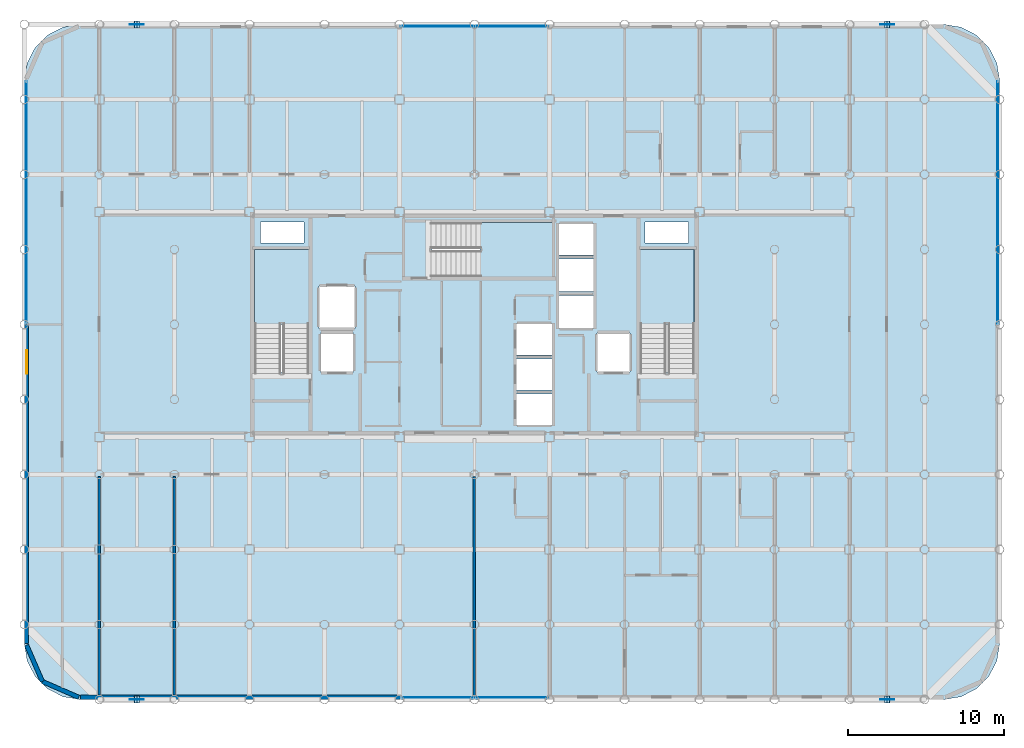
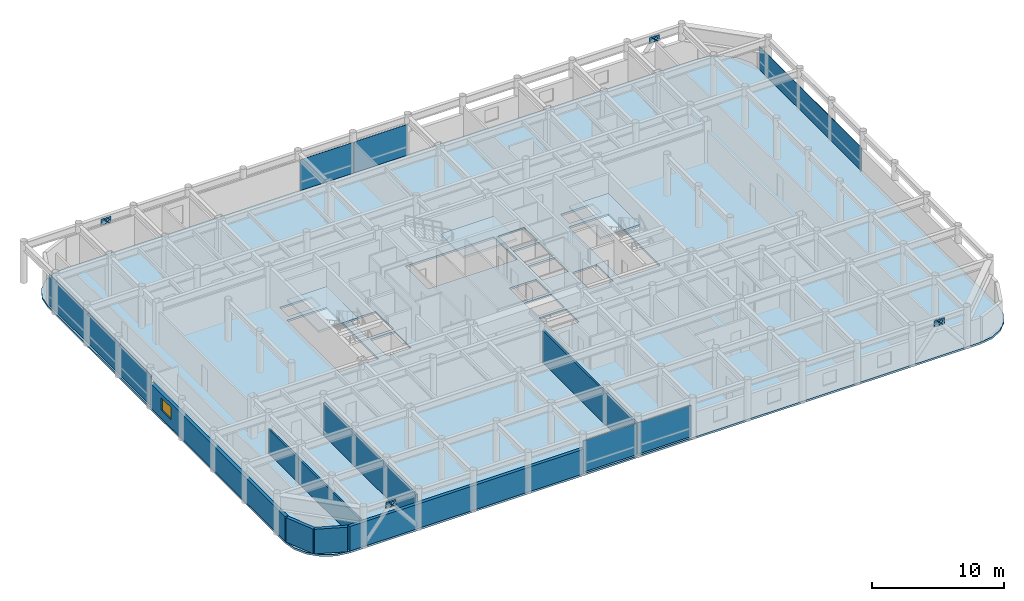
# One storey, part 16 of 22: 18 plates, 7 walls, 4 slabs, 1 window, 1 opening, 7 elements without a shape of their own.
"""IFC4 building model written with IfcOpenShell, lengths in metres."""

from ifc_helpers import new_model, si_unit, direction, frame, frame_2d, origin, origin_2d, place, context, subcontext, project, spatial, polyline, rectangle, outline, extrude, material, layer, layer_set, type_object, element, fill, aggregate, save


model = new_model("IFC4")

# Units and contexts
model_context = context("Model", 3, precision=1e-05, world=origin(), true_north=direction((0.0, 1.0)))
body_context = subcontext(model_context, "Body", "Model", "MODEL_VIEW")
ifc_project = project(units=[si_unit("LENGTHUNIT", "METRE"), si_unit("AREAUNIT", "SQUARE_METRE"), si_unit("VOLUMEUNIT", "CUBIC_METRE"), si_unit("PLANEANGLEUNIT", "RADIAN"), si_unit("MASSUNIT", "GRAM", prefix="KILO")], contexts=[model_context])

# Site, building, storey
site_placement = place(None, origin())
site = spatial("IfcSite", under=ifc_project, at=site_placement, CompositionType="ELEMENT")
building_placement = place(site_placement, origin())
building = spatial("IfcBuilding", under=site, at=building_placement, Name="Kallvorn Hotel Tower", CompositionType="ELEMENT")
storey_placement = place(building_placement, frame((0.0, 0.0, 203.050048828125)))
storey = spatial("IfcBuildingStorey", under=building, at=storey_placement, Name="L50", CompositionType="ELEMENT", Elevation=203.050048828125)

# Curtain wall, plates
ifc_material_1 = material(Name="Thermally broken black-anodised aluminium AA 6063-T6", Category="aluminium")
ifc_layer_1 = layer(ifc_material_1, 0.22998046875)
ifc_layer_set_1 = layer_set([ifc_layer_1], Name="CW_SYS_5_HOTEL_HIGH")
curtain_wall_type = type_object("IfcCurtainWallType", Name="CW_SYS_5_HOTEL_HIGH", PredefinedType="USERDEFINED", material=ifc_layer_set_1)
curtain_wall_1_placement = place(storey_placement, origin())
curtain_wall_1 = element("IfcCurtainWall", 1, at=curtain_wall_1_placement, inside=storey, type_object=curtain_wall_type, Name="L50 Dark-Glass Curtain Wall CW-L50-SC", ObjectType="UNITISED CURTAIN WALL", PredefinedType="USERDEFINED")
ifc_material_2 = material(Name="Triple-glazed low-e acoustic solar-control dark glass", Category="glass")
ifc_layer_2 = layer(ifc_material_2, 0.04150390625)
ifc_layer_set_2 = layer_set([ifc_layer_2], Name="CW_SYS_5_HOTEL_HIGH_PANEL")
plate_type_1 = type_object("IfcPlateType", Name="CW_SYS_5_HOTEL_HIGH_PANEL", PredefinedType="CURTAIN_PANEL", material=ifc_layer_set_2)
plate_1_placement = place(storey_placement, frame((-2.375, -23.8798828125, 0.06005859375), z_axis=(0.0, 0.0, 1.0), x_axis=(1.0, 0.0, 0.0)))
plate_1 = element("IfcPlate", 2, at=plate_1_placement, type_object=plate_type_1, Name="CW-L50-SC Vision Glass Panel 00", PredefinedType="CURTAIN_PANEL", context=body_context, shape_type="SweptSolid", body=[
    extrude(rectangle(XDim=4.68994140625, YDim=0.04150390625, at=origin_2d()), origin(), (0.0, 0.0, 1.0), 2.89990234375),
])
plate_2_placement = place(storey_placement, frame((2.375, -23.8798828125, 0.06005859375), z_axis=(0.0, 0.0, 1.0), x_axis=(1.0, 0.0, 0.0)))
plate_2 = element("IfcPlate", 3, at=plate_2_placement, type_object=plate_type_1, Name="CW-L50-SC Vision Glass Panel 01", PredefinedType="CURTAIN_PANEL", context=body_context, shape_type="SweptSolid", body=[
    extrude(rectangle(XDim=4.68994140625, YDim=0.04150390625, at=origin_2d()), origin(), (0.0, 0.0, 1.0), 2.89990234375),
])
aggregate(curtain_wall_1, [plate_1, plate_2])

curtain_wall_2_placement = place(storey_placement, origin())
curtain_wall_2 = element("IfcCurtainWall", 4, at=curtain_wall_2_placement, inside=storey, type_object=curtain_wall_type, Name="L50 Dark-Glass Curtain Wall CW-L50-NC", ObjectType="UNITISED CURTAIN WALL", PredefinedType="USERDEFINED")
plate_3_placement = place(storey_placement, frame((-2.375, 19.080078125, 0.059814453125), z_axis=(0.0, 0.0, 1.0), x_axis=(1.0, 0.0, 0.0)))
plate_3 = element("IfcPlate", 5, at=plate_3_placement, type_object=plate_type_1, Name="CW-L50-NC Vision Glass Panel 00", PredefinedType="CURTAIN_PANEL", context=body_context, shape_type="SweptSolid", body=[
    extrude(rectangle(XDim=4.68994140625, YDim=0.04150390625, at=origin_2d()), origin(), (0.0, 0.0, 1.0), 2.85009765625),
])
plate_4_placement = place(storey_placement, frame((2.375, 19.080078125, 0.059814453125), z_axis=(0.0, 0.0, 1.0), x_axis=(1.0, 0.0, 0.0)))
plate_4 = element("IfcPlate", 6, at=plate_4_placement, type_object=plate_type_1, Name="CW-L50-NC Vision Glass Panel 01", PredefinedType="CURTAIN_PANEL", context=body_context, shape_type="SweptSolid", body=[
    extrude(rectangle(XDim=4.68994140625, YDim=0.04150390625, at=origin_2d()), origin(), (0.0, 0.0, 1.0), 2.85009765625),
])
aggregate(curtain_wall_2, [plate_3, plate_4])

# Curtain wall, plate
curtain_wall_3_placement = place(storey_placement, origin())
curtain_wall_3 = element("IfcCurtainWall", 7, at=curtain_wall_3_placement, inside=storey, type_object=curtain_wall_type, Name="L50 Dark-Glass Curtain Wall CW-L50-WN", ObjectType="UNITISED CURTAIN WALL", PredefinedType="USERDEFINED")
plate_5_placement = place(storey_placement, frame((-28.679931640625, 7.81005859375, 0.059814453125), z_axis=(0.0, 0.0, 1.0), x_axis=(0.0, 1.0, 0.0)))
plate_5 = element("IfcPlate", 8, at=plate_5_placement, type_object=plate_type_1, Name="CW-L50-WN Vision Glass Panel 00", PredefinedType="CURTAIN_PANEL", context=body_context, shape_type="SweptSolid", body=[
    extrude(rectangle(XDim=15.52001953125, YDim=0.04150390625, at=origin_2d()), origin(), (0.0, 0.0, 1.0), 2.85009765625),
])
aggregate(curtain_wall_3, [plate_5])

curtain_wall_4_placement = place(storey_placement, origin())
curtain_wall_4 = element("IfcCurtainWall", 9, at=curtain_wall_4_placement, inside=storey, type_object=curtain_wall_type, Name="L50 Dark-Glass Curtain Wall CW-L50-EN", ObjectType="UNITISED CURTAIN WALL", PredefinedType="USERDEFINED")
plate_6_placement = place(storey_placement, frame((33.47998046875, 7.81005859375, 0.06005859375), z_axis=(0.0, 0.0, 1.0), x_axis=(0.0, 1.0, 0.0)))
plate_6 = element("IfcPlate", 10, at=plate_6_placement, type_object=plate_type_1, Name="CW-L50-EN Vision Glass Panel 00", PredefinedType="CURTAIN_PANEL", context=body_context, shape_type="SweptSolid", body=[
    extrude(rectangle(XDim=15.52001953125, YDim=0.04150390625, at=origin_2d()), origin(), (0.0, 0.0, 1.0), 2.14990234375),
])
aggregate(curtain_wall_4, [plate_6])

# Plates
ifc_material_3 = material(Name="Structural steel S355JR", Category="steel")
ifc_layer_3 = layer(ifc_material_3, 0.030029296875)
ifc_layer_set_3 = layer_set([ifc_layer_3], Name="PLT_CAP_30")
plate_type_2 = type_object("IfcPlateType", Name="PLT_CAP_30", PredefinedType="SHEET", material=ifc_layer_set_3)
for number, where, z_axis, x_axis, name in (
    (11, (-21.424072265625, -24.2177734375, 3.031005859375), (0.627697677331, 0.0, 0.778457208762), (0.0, 1.0, 0.0), "EXO-L50-S1A End Cap Plate B"),
    (12, (-21.77587890625, -23.7822265625, 3.031005859375), (-0.627697677331, 0.0, 0.778457208762), (0.0, -1.0, 0.0), "EXO-L50-S1B End Cap Plate B"),
    (13, (26.575927734375, -24.2177734375, 3.031005859375), (0.627697677331, 0.0, 0.778457208762), (0.0, 1.0, 0.0), "EXO-L50-S2A End Cap Plate B"),
    (14, (26.22412109375, -23.7822265625, 3.031005859375), (-0.627697677331, 0.0, 0.778457208762), (0.0, -1.0, 0.0), "EXO-L50-S2B End Cap Plate B"),
    (15, (-21.424072265625, 18.982177734375, 3.031005859375), (0.627697677331, 0.0, 0.778457208762), (0.0, 1.0, 0.0), "EXO-L50-N1A End Cap Plate B"),
    (16, (-21.77587890625, 19.417724609375, 3.031005859375), (-0.627697677331, 0.0, 0.778457208762), (0.0, -1.0, 0.0), "EXO-L50-N1B End Cap Plate B"),
    (17, (26.575927734375, 18.982177734375, 3.031005859375), (0.627697677331, 0.0, 0.778457208762), (0.0, 1.0, 0.0), "EXO-L50-N2A End Cap Plate B"),
    (18, (26.22412109375, 19.417724609375, 3.031005859375), (-0.627697677331, 0.0, 0.778457208762), (0.0, -1.0, 0.0), "EXO-L50-N2B End Cap Plate B"),
):
    element("IfcPlate", number, at=place(storey_placement, frame(where, z_axis=z_axis, x_axis=x_axis)), inside=storey, type_object=plate_type_2, Name=name, PredefinedType="SHEET", context=body_context, shape_type="SweptSolid", body=[
        extrude(outline(polyline([(0.0, 0.0), (0.435546875, 0.0), (0.435546875, 0.43561974159690164), (0.0, 0.43561974159690164), (0.0, 0.0)])), origin(), (0.0, 0.0, -1.0), 0.030029296875),
    ])
ifc_material_4 = material(Name="Structural steel S355JR", Category="steel")
ifc_layer_4 = layer(ifc_material_4, 0.034912109375)
ifc_layer_set_4 = layer_set([ifc_layer_4], Name="PLT_GUSSET_35")
plate_type_3 = type_object("IfcPlateType", Name="PLT_GUSSET_35", PredefinedType="USERDEFINED", material=ifc_layer_set_4)
for number, where, z_axis, x_axis, name in (
    (19, (-21.60009765625, -24.0, 2.83984375), (0.0, 0.0, 1.0), (1.0, 0.0, 0.0), "L50 Exoskeleton Node Gusset S1"),
    (20, (26.39990234375, -24.0, 2.83984375), (0.0, 0.0, 1.0), (1.0, 0.0, 0.0), "L50 Exoskeleton Node Gusset S2"),
    (21, (-21.60009765625, 19.199951171875, 2.83984375), (0.0, 0.0, 1.0), (1.0, 0.0, 0.0), "L50 Exoskeleton Node Gusset N1"),
    (22, (26.39990234375, 19.199951171875, 2.83984375), (0.0, 0.0, 1.0), (1.0, 0.0, 0.0), "L50 Exoskeleton Node Gusset N2"),
):
    element("IfcPlate", number, at=place(storey_placement, frame(where, z_axis=z_axis, x_axis=x_axis)), inside=storey, type_object=plate_type_3, Name=name, ObjectType="GUSSET PLATE", PredefinedType="USERDEFINED", context=body_context, shape_type="SweptSolid", body=[
        extrude(rectangle(XDim=0.89990234375, YDim=0.034912109375, at=origin_2d()), origin(), (0.0, 0.0, 1.0), 0.56005859375),
    ])

# Stair, slab
ifc_material_5 = material(Name="Precast concrete C40/50", Category="concrete")
stair_type = type_object("IfcStairType", Name="STR_CORE_DOGLEG", PredefinedType="HALF_TURN_STAIR", material=ifc_material_5)
stair_1_placement = place(storey_placement, origin())
stair_1 = element("IfcStair", 23, at=stair_1_placement, inside=storey, type_object=stair_type, Name="L50 Exit stair ST1", PredefinedType="HALF_TURN_STAIR")
ifc_material_6 = material(Name="Precast concrete C40/50", Category="concrete")
ifc_layer_5 = layer(ifc_material_6, 0.179931640625)
ifc_layer_set_5 = layer_set([ifc_layer_5], Name="SLB_LANDING_180")
slab_type_1 = type_object("IfcSlabType", Name="SLB_LANDING_180", PredefinedType="LANDING", material=ifc_layer_set_5)
slab_1_placement = place(storey_placement, frame((0.0, 0.0, 1.724853515625)))
slab_1 = element("IfcSlab", 24, at=slab_1_placement, type_object=slab_type_1, Name="ST1 landing 1", PredefinedType="LANDING", context=body_context, shape_type="SweptSolid", body=[
    extrude(outline(polyline([(-10.60009765625, 0.010009765625), (-10.60009765625, 4.800048828125), (-14.06005859375, 4.800048828125), (-14.06005859375, 0.010009765625), (-10.60009765625, 0.010009765625)])), origin(), (0.0, 0.0, 1.0), 0.2001953125),
])
aggregate(stair_1, [slab_1])

stair_2_placement = place(storey_placement, origin())
stair_2 = element("IfcStair", 25, at=stair_2_placement, inside=storey, type_object=stair_type, Name="L50 Exit stair ST2", PredefinedType="HALF_TURN_STAIR")
slab_2_placement = place(storey_placement, frame((0.0, 0.0, 1.724853515625)))
slab_2 = element("IfcSlab", 26, at=slab_2_placement, type_object=slab_type_1, Name="ST2 landing 1", PredefinedType="LANDING", context=body_context, shape_type="SweptSolid", body=[
    extrude(outline(polyline([(14.06005859375, 0.010009765625), (14.06005859375, 4.800048828125), (10.60009765625, 4.800048828125), (10.60009765625, 0.010009765625), (14.06005859375, 0.010009765625)])), origin(), (0.0, 0.0, 1.0), 0.2001953125),
])
aggregate(stair_2, [slab_2])

stair_3_placement = place(storey_placement, origin())
stair_3 = element("IfcStair", 27, at=stair_3_placement, inside=storey, type_object=stair_type, Name="L50 Exit stair ST3", PredefinedType="HALF_TURN_STAIR")
slab_3_placement = place(storey_placement, frame((0.0, 0.0, 1.724853515625)))
slab_3 = element("IfcSlab", 28, at=slab_3_placement, type_object=slab_type_1, Name="ST3 landing 1", PredefinedType="LANDING", context=body_context, shape_type="SweptSolid", body=[
    extrude(outline(polyline([(0.360107421875, 3.050048828125), (5.050048828125, 3.050048828125), (5.050048828125, 6.510009765625), (0.360107421875, 6.510009765625), (0.360107421875, 3.050048828125)])), origin(), (0.0, 0.0, 1.0), 0.2001953125),
])
aggregate(stair_3, [slab_3])

# Slab
ifc_material_7 = material(Name="Concrete C40/50", Category="concrete")
ifc_layer_6 = layer(ifc_material_7, 0.179931640625)
ifc_layer_set_6 = layer_set([ifc_layer_6], Name="SLB_TOWER_180")
slab_type_2 = type_object("IfcSlabType", Name="SLB_TOWER_180", PredefinedType="FLOOR", material=ifc_layer_set_6)
slab_4_placement = place(storey_placement, frame((0.0, 0.0, -0.179931640625)))
element("IfcSlab", 29, at=slab_4_placement, inside=storey, type_object=slab_type_2, Name="L50 Structural Floor Slab", PredefinedType="FLOOR", context=body_context, shape_type="SweptSolid", body=[
    extrude(outline(polyline([(30.0, -24.0), (31.112548828125, -23.82373046875), (32.115966796875, -23.3125), (32.91259765625, -22.51611328125), (33.423828125, -21.512451171875), (33.60009765625, -20.39990234375), (33.60009765625, 15.60009765625), (33.423828125, 16.71240234375), (32.91259765625, 17.716064453125), (32.115966796875, 18.512451171875), (31.112548828125, 19.023681640625), (30.0, 19.199951171875), (-25.199951171875, 19.199951171875), (-26.3125, 19.023681640625), (-27.31591796875, 18.512451171875), (-28.112548828125, 17.716064453125), (-28.623779296875, 16.71240234375), (-28.800048828125, 15.60009765625), (-28.800048828125, -20.39990234375), (-28.623779296875, -21.512451171875), (-28.112548828125, -22.51611328125), (-27.31591796875, -23.3125), (-26.3125, -23.82373046875), (-25.199951171875, -24.0), (30.0, -24.0)]), holes=[polyline([(-10.60009765625, -3.070068359375), (-10.60009765625, 4.800048828125), (-14.06005859375, 4.800048828125), (-14.06005859375, -3.070068359375), (-10.60009765625, -3.070068359375)]), polyline([(14.06005859375, -3.070068359375), (14.06005859375, 4.800048828125), (10.60009765625, 4.800048828125), (10.60009765625, -3.070068359375), (14.06005859375, -3.070068359375)]), polyline([(-2.719970703125, 3.050048828125), (5.050048828125, 3.050048828125), (5.050048828125, 6.510009765625), (-2.719970703125, 6.510009765625), (-2.719970703125, 3.050048828125)]), polyline([(2.64990234375, -6.449951171875), (5.0, -6.449951171875), (5.0, -4.449951171875), (2.64990234375, -4.449951171875), (2.64990234375, -6.449951171875)]), polyline([(2.64990234375, -4.199951171875), (5.0, -4.199951171875), (5.0, -2.199951171875), (2.64990234375, -2.199951171875), (2.64990234375, -4.199951171875)]), polyline([(2.64990234375, -1.949951171875), (5.0, -1.949951171875), (5.0, 0.050048828125), (2.64990234375, 0.050048828125), (2.64990234375, -1.949951171875)]), polyline([(5.35009765625, -0.25), (7.64990234375, -0.25), (7.64990234375, 1.85009765625), (5.35009765625, 1.85009765625), (5.35009765625, -0.25)]), polyline([(5.35009765625, 2.10009765625), (7.64990234375, 2.10009765625), (7.64990234375, 4.199951171875), (5.35009765625, 4.199951171875), (5.35009765625, 2.10009765625)]), polyline([(5.35009765625, 4.449951171875), (7.64990234375, 4.449951171875), (7.64990234375, 6.449951171875), (5.35009765625, 6.449951171875), (5.35009765625, 4.449951171875)]), polyline([(-9.85009765625, -3.050048828125), (-7.75, -3.050048828125), (-7.75, -0.550048828125), (-9.85009765625, -0.550048828125), (-9.85009765625, -3.050048828125)]), polyline([(7.85009765625, -3.050048828125), (9.949951171875, -3.050048828125), (9.949951171875, -0.550048828125), (7.85009765625, -0.550048828125), (7.85009765625, -3.050048828125)]), polyline([(-9.949951171875, -0.25), (-7.64990234375, -0.25), (-7.64990234375, 2.449951171875), (-9.949951171875, 2.449951171875), (-9.949951171875, -0.25)]), polyline([(-13.699951171875, 5.199951171875), (-10.89990234375, 5.199951171875), (-10.89990234375, 6.550048828125), (-13.699951171875, 6.550048828125), (-13.699951171875, 5.199951171875)]), polyline([(10.89990234375, 5.199951171875), (13.699951171875, 5.199951171875), (13.699951171875, 6.550048828125), (10.89990234375, 6.550048828125), (10.89990234375, 5.199951171875)])]), origin(), (0.0, 0.0, 1.0), 0.179931640625),
])

# Walls
ifc_material_8 = material(Name="Fire-rated double-layer acoustic gypsum drywall EI 60")
ifc_layer_7 = layer(ifc_material_8, 0.159912109375)
ifc_layer_set_7 = layer_set([ifc_layer_7], Name="WL_DEMISE_160")
wall_type_1 = type_object("IfcWallType", Name="WL_DEMISE_160", PredefinedType="PARTITIONING", material=ifc_layer_set_7)
wall_1_placement = place(storey_placement, frame((0.0, -23.794921875, 0.0), z_axis=(0.0, 0.0, 1.0), x_axis=(0.0, 1.0, 0.0)))
element("IfcWall", 30, at=wall_1_placement, inside=storey, type_object=wall_type_1, Name="L50 Suite 5001 Deluxe King Room Partition", PredefinedType="PARTITIONING", context=body_context, shape_type="SweptSolid", body=[
    extrude(rectangle(XDim=14.074951171875, YDim=0.159912109375, at=frame_2d((7.03759765625, 0.0))), origin(), (0.0, 0.0, 1.0), 2.969970703125),
])
ifc_material_9 = material(Name="Precast basalt-clad insulated concrete wall C40/50", Category="masonry")
ifc_layer_8 = layer(ifc_material_9, 0.280029296875)
ifc_layer_set_8 = layer_set([ifc_layer_8], Name="WL_EXT_LOGGIA_280")
wall_type_2 = type_object("IfcWallType", Name="WL_EXT_LOGGIA_280", PredefinedType="SOLIDWALL", material=ifc_layer_set_8)
wall_2_placement = place(storey_placement, frame((-28.657958984375, -20.520751953125, 0.0), z_axis=(0.0, 0.0, 1.0), x_axis=(0.398792985289, -0.917040977756, 0.0)))
element("IfcWall", 31, at=wall_2_placement, inside=storey, type_object=wall_type_2, Name="L50 Rounded Corner Exterior Wall SW1", PredefinedType="SOLIDWALL", context=body_context, shape_type="SweptSolid", body=[
    extrude(rectangle(XDim=2.536376953125, YDim=0.280029296875, at=frame_2d((1.26806640625, 0.0))), origin(), (0.0, 0.0, 1.0), 2.27001953125),
])
wall_3_placement = place(storey_placement, frame((-27.646484375, -22.8466796875, 0.0), z_axis=(0.0, 0.0, 1.0), x_axis=(0.917060872934, -0.398747232384, 0.0)))
element("IfcWall", 32, at=wall_3_placement, inside=storey, type_object=wall_type_2, Name="L50 Rounded Corner Exterior Wall SW2", PredefinedType="SOLIDWALL", context=body_context, shape_type="SweptSolid", body=[
    extrude(rectangle(XDim=2.5361328125, YDim=0.280029296875, at=frame_2d((1.26806640625, 0.0))), origin(), (0.0, 0.0, 1.0), 2.27001953125),
])
wall_4_placement = place(storey_placement, frame((-25.199951171875, -23.860107421875, 0.0), z_axis=(0.0, 0.0, 1.0), x_axis=(1.0, 0.0, 0.0)))
element("IfcWall", 33, at=wall_4_placement, inside=storey, type_object=wall_type_2, Name="L50 Exterior Envelope Wall EW-L50-SW", PredefinedType="SOLIDWALL", context=body_context, shape_type="SweptSolid", body=[
    extrude(rectangle(XDim=20.449951171875, YDim=0.280029296875, at=frame_2d((10.22509765625, 0.0))), origin(), (0.0, 0.0, 1.0), 2.27001953125),
])

# Wall, opening, window
wall_5_placement = place(storey_placement, frame((-28.659912109375, -20.39990234375, 0.0), z_axis=(0.0, 0.0, 1.0), x_axis=(0.0, 1.0, 0.0)))
wall_5 = element("IfcWall", 34, at=wall_5_placement, inside=storey, type_object=wall_type_2, Name="L50 Exterior Envelope Wall EW-L50-WS", PredefinedType="SOLIDWALL", context=body_context, shape_type="SweptSolid", body=[
    extrude(rectangle(XDim=20.3798828125, YDim=0.280029296875, at=frame_2d((10.18994140625, 0.0))), origin(), (0.0, 0.0, 1.0), 2.27001953125),
])
opening_placement = place(wall_5_placement, frame((17.25, 0.0, 0.75)))
opening = element("IfcOpeningElement", 35, at=opening_placement, cuts=wall_5, Name="Opening W05A", PredefinedType="OPENING", context=body_context, shape_type="SweptSolid", body=[
    extrude(rectangle(XDim=1.5, YDim=1.14990234375, at=frame_2d((0.75, 0.574951171875))), frame((0.0, 0.155029296875, 0.0), z_axis=(0.0, -1.0, 0.0), x_axis=(1.0, 0.0, 0.0)), (0.0, 0.0, 1.0), 0.31005859375),
])
ifc_material_10 = material(Name="Double-glazed low-e solar-control dark glass", Category="glass")
window_type = type_object("IfcWindowType", Name="WN_HTL_1500x1150", PartitioningType="SINGLE_PANEL", PredefinedType="WINDOW", material=ifc_material_10)
window_placement = place(opening_placement, origin())
window = element("IfcWindow", 36, at=window_placement, inside=storey, type_object=window_type, Name="L50 Flank Wing Window 03", OverallHeight=1.14990234375, OverallWidth=1.5, PartitioningType="SINGLE_PANEL", PredefinedType="WINDOW", context=body_context, shape_type="SweptSolid", body=[
    extrude(rectangle(XDim=1.5, YDim=1.14990234375, at=frame_2d((0.75, 0.574951171875))), frame((0.0, 0.030029296875, 0.0), z_axis=(0.0, -1.0, 0.0), x_axis=(1.0, 0.0, 0.0)), (0.0, 0.0, 1.0), 0.06005859375),
])
fill(opening, window)

# Walls
ifc_material_11 = material(Name="Fire-rated double-layer acoustic gypsum drywall EI 60")
ifc_layer_9 = layer(ifc_material_11, 0.14990234375)
ifc_layer_set_9 = layer_set([ifc_layer_9], Name="WL_PART_150")
wall_type_3 = type_object("IfcWallType", Name="WL_PART_150", PredefinedType="PARTITIONING", material=ifc_layer_set_9)
wall_6_placement = place(storey_placement, frame((-24.0, -23.7099609375, 0.0), z_axis=(0.0, 0.0, 1.0), x_axis=(0.0, 1.0, 0.0)))
element("IfcWall", 37, at=wall_6_placement, inside=storey, type_object=wall_type_3, Name="L50 L50 High-Zone South-West Tea Bar Partition", PredefinedType="PARTITIONING", context=body_context, shape_type="SweptSolid", body=[
    extrude(rectangle(XDim=13.989990234375, YDim=0.14990234375, at=frame_2d((6.9951171875, 0.0))), origin(), (0.0, 0.0, 1.0), 2.27001953125),
])
wall_7_placement = place(storey_placement, frame((-19.199951171875, -23.7099609375, 0.0), z_axis=(0.0, 0.0, 1.0), x_axis=(0.0, 1.0, 0.0)))
element("IfcWall", 38, at=wall_7_placement, inside=storey, type_object=wall_type_3, Name="L50 L50 Executive Co-Working Open-Plan Office 1 Partition", PredefinedType="PARTITIONING", context=body_context, shape_type="SweptSolid", body=[
    extrude(rectangle(XDim=13.989990234375, YDim=0.14990234375, at=frame_2d((6.9951171875, 0.0))), origin(), (0.0, 0.0, 1.0), 2.969970703125),
])

save(model, "model.ifc")
